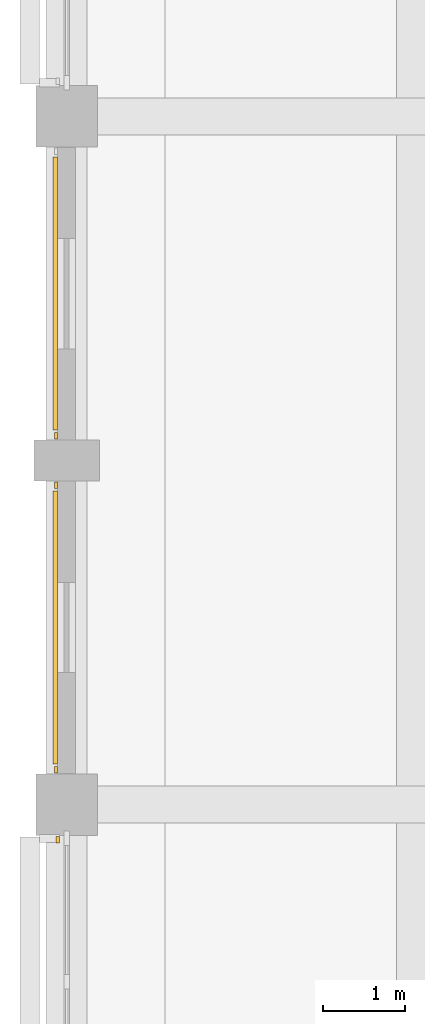
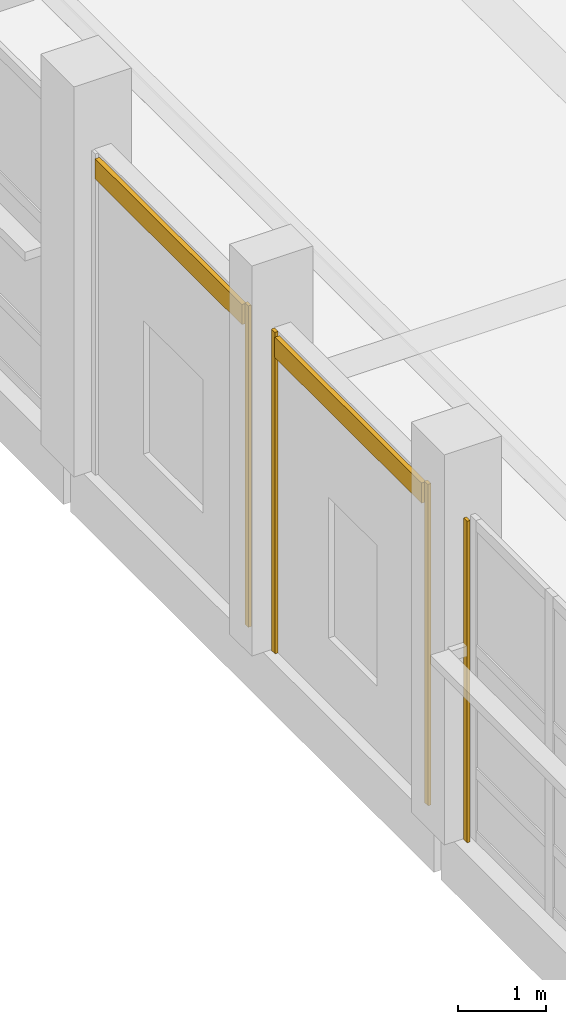
# One storey, part 94 of 140: 6 coverings.
"""IFC4 building model written with IfcOpenShell, lengths in metres."""

from ifc_helpers import new_model, si_unit, direction, frame, origin, origin_2d, place, context, subcontext, project, spatial, rectangle, extrude, material, layer, layer_set, type_object, element, save


model = new_model("IFC4")

# Units and contexts
model_context = context("Model", 3, precision=1e-05, world=origin(), true_north=direction((0.0, 1.0)))
body_context = subcontext(model_context, "Body", "Model", "MODEL_VIEW")
ifc_project = project(units=[si_unit("LENGTHUNIT", "METRE"), si_unit("AREAUNIT", "SQUARE_METRE"), si_unit("VOLUMEUNIT", "CUBIC_METRE"), si_unit("PLANEANGLEUNIT", "RADIAN"), si_unit("MASSUNIT", "GRAM", prefix="KILO")], contexts=[model_context])

# Site, building, storey
site_placement = place(None, origin())
site = spatial("IfcSite", under=ifc_project, at=site_placement, CompositionType="ELEMENT")
building_placement = place(site_placement, origin())
building = spatial("IfcBuilding", under=site, at=building_placement, Name="Telukmera Botanical Conservatory", CompositionType="ELEMENT")
storey_placement = place(building_placement, origin())
storey = spatial("IfcBuildingStorey", under=building, at=storey_placement, Name="L00", CompositionType="ELEMENT", Elevation=0.0)

# Coverings
ifc_material_1 = material(Name="Granite-faced precast concrete C40/50", Category="masonry")
ifc_layer_1 = layer(ifc_material_1, 0.0400390625)
ifc_layer_set_1 = layer_set([ifc_layer_1], Name="Granite-faced precast concrete C40/50")
covering_type_1 = type_object("IfcCoveringType", Name="Granite Precast Column Pier Reveal Casing", PredefinedType="CLADDING", material=ifc_layer_set_1)
for number, where, z_axis, x_axis, name in (
    (1, (8.2900390625, 25.572998046875, 0.0), (0.0, 0.0, 1.0), (0.0, 1.0, 0.0), "Granite Pier Reveal V3:L00:W1B R"),
    (2, (8.27001953125, 26.427001953125, 0.0), (0.0, 0.0, 1.0), (0.0, 1.0, 0.0), "Granite Pier Reveal V3:L00:W2A L"),
    (3, (8.27001953125, 29.89794921875, 0.0), (0.0, 0.0, 1.0), (0.0, 1.0, 0.0), "Granite Pier Reveal V3:L00:W2A R"),
    (4, (8.27001953125, 30.501953125, 0.0), (0.0, 0.0, 1.0), (0.0, 1.0, 0.0), "Granite Pier Reveal V3:L00:W2B L"),
):
    element("IfcCovering", number, at=place(storey_placement, frame(where, z_axis=z_axis, x_axis=x_axis)), inside=storey, type_object=covering_type_1, Name=name, PredefinedType="CLADDING", context=body_context, shape_type="SweptSolid", body=[
        extrude(rectangle(XDim=0.080078125, YDim=0.0400390625, at=origin_2d()), origin(), (0.0, 0.0, 1.0), 4.449951171875),
    ])
ifc_material_2 = material(Name="Terracotta-faced precast concrete C40/50", Category="masonry")
ifc_layer_2 = layer(ifc_material_2, 0.06005859375)
ifc_layer_set_2 = layer_set([ifc_layer_2], Name="Terracotta-faced precast concrete C40/50")
covering_type_2 = type_object("IfcCoveringType", Name="Polychrome Terracotta Facade Band Cladding", PredefinedType="CLADDING", material=ifc_layer_set_2)
for number, where, z_axis, x_axis, name in (
    (5, (8.260009765625, 28.16259765625, 4.1298828125), (0.0, 0.0, 1.0), (0.0, 1.0, 0.0), "Polychrome Terracotta Band V3:L00:W2A"),
    (6, (8.260009765625, 32.237548828125, 4.1298828125), (0.0, 0.0, 1.0), (0.0, 1.0, 0.0), "Polychrome Terracotta Band V3:L00:W2B"),
):
    element("IfcCovering", number, at=place(storey_placement, frame(where, z_axis=z_axis, x_axis=x_axis)), inside=storey, type_object=covering_type_2, Name=name, PredefinedType="CLADDING", context=body_context, shape_type="SweptSolid", body=[
        extrude(rectangle(XDim=3.3310546875, YDim=0.06005859375, at=origin_2d()), origin(), (0.0, 0.0, 1.0), 0.280029296875),
    ])

save(model, "model.ifc")
